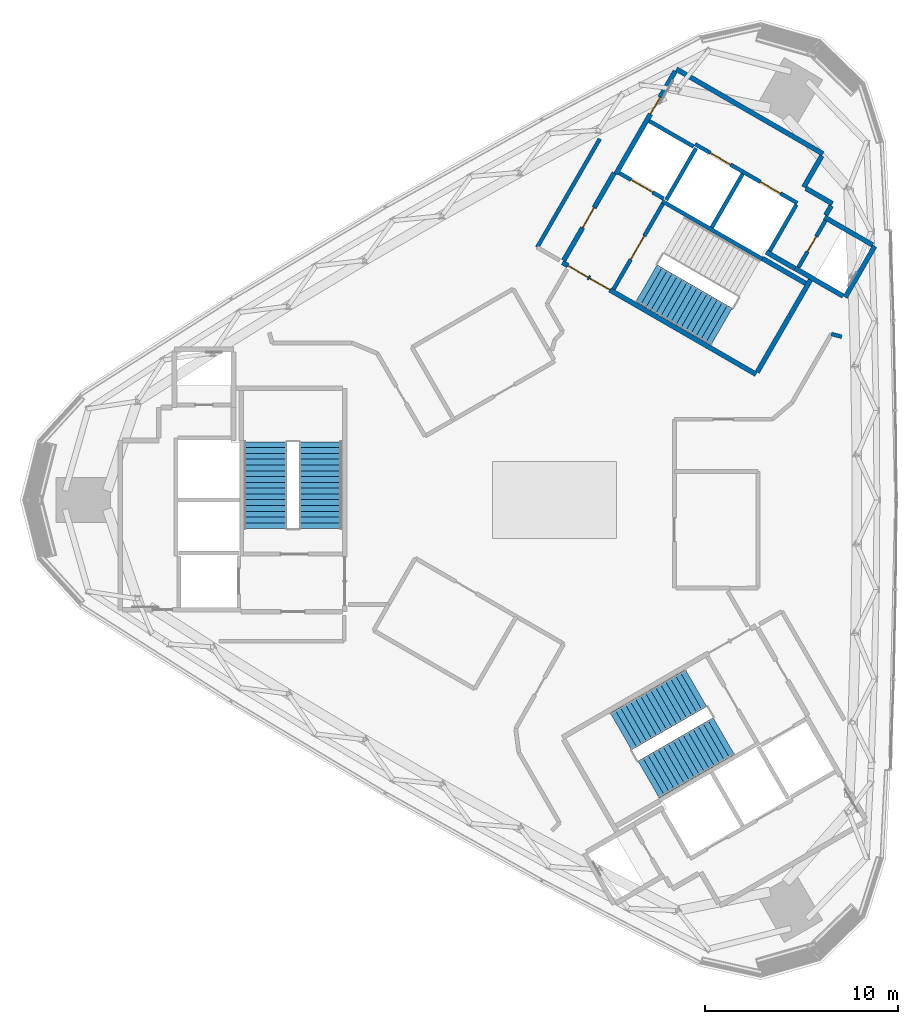
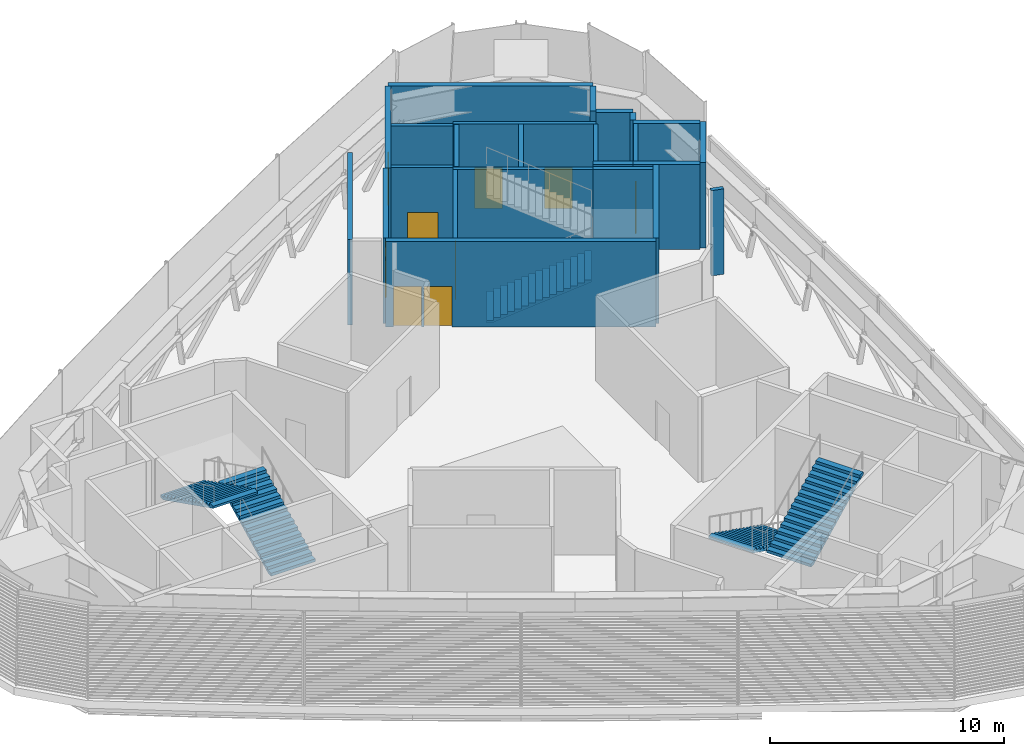
# One storey, part 14 of 18: 24 walls, 9 doors, 5 stair flights, 9 openings, 3 elements without a shape of their own.
"""IFC4 building model written with IfcOpenShell, lengths in metres."""

from ifc_helpers import new_model, si_unit, direction, frame, frame_2d, origin, place, context, subcontext, project, spatial, polyline, rectangle, outline, extrude, material, layer, layer_set, type_object, element, fill, aggregate, save


model = new_model("IFC4")

# Units and contexts
model_context = context("Model", 3, precision=1e-05, world=origin(), true_north=direction((0.0, 1.0)))
body_context = subcontext(model_context, "Body", "Model", "MODEL_VIEW")
ifc_project = project(units=[si_unit("LENGTHUNIT", "METRE"), si_unit("AREAUNIT", "SQUARE_METRE"), si_unit("VOLUMEUNIT", "CUBIC_METRE"), si_unit("PLANEANGLEUNIT", "RADIAN"), si_unit("MASSUNIT", "GRAM", prefix="KILO")], contexts=[model_context])

# Site, building, storey
site_placement = place(None, origin())
site = spatial("IfcSite", under=ifc_project, at=site_placement, CompositionType="ELEMENT")
building_placement = place(site_placement, origin())
building = spatial("IfcBuilding", under=site, at=building_placement, Name="Tamra Quay Hotel Tower", CompositionType="ELEMENT")
storey_placement = place(building_placement, frame((0.0, 0.0, 257.39990234375)))
storey = spatial("IfcBuildingStorey", under=building, at=storey_placement, Name="L65", CompositionType="ELEMENT", Elevation=257.39990234375)

# Wall, openings, doors
ifc_material_1 = material(Name="Concrete M70", Category="concrete")
ifc_layer_1 = layer(ifc_material_1, 0.199951171875)
ifc_layer_set_1 = layer_set([ifc_layer_1], Name="Concrete M70 core wall 200")
wall_type_1 = type_object("IfcWallType", Name="Concrete M70 core wall 200", PredefinedType="SHEAR", material=ifc_layer_set_1)
wall_1_placement = place(storey_placement, frame((12.552490234375, 15.341552734375, 0.0), z_axis=(0.0, 0.0, 1.0), x_axis=(-0.866030299012, 0.499991521122, 0.0)))
wall_1 = element("IfcWall", 1, at=wall_1_placement, inside=storey, type_object=wall_type_1, Name="CW2", PredefinedType="SHEAR", context=body_context, shape_type="SweptSolid", body=[
    extrude(rectangle(XDim=6.10009765625, YDim=0.199951171875, at=frame_2d((3.050048828125, 0.0))), origin(), (0.0, 0.0, 1.0), 4.4501953125),
])
opening_1_placement = place(wall_1_placement, frame((1.0, 0.0, 0.0)))
opening_1 = element("IfcOpeningElement", 2, at=opening_1_placement, cuts=wall_1, Name="Opening LD", PredefinedType="OPENING", context=body_context, shape_type="SweptSolid", body=[
    extrude(rectangle(XDim=1.199951171875, YDim=2.10009765625, at=frame_2d((0.60009765625, 1.050048828125))), frame((0.0, 0.10986328125, 0.0), z_axis=(0.0, -1.0, 0.0), x_axis=(1.0, 0.0, 0.0)), (0.0, 0.0, 1.0), 0.219970703125),
])
opening_2_placement = place(wall_1_placement, frame((3.982177734375, 0.0, 0.0)))
opening_2 = element("IfcOpeningElement", 3, at=opening_2_placement, cuts=wall_1, Name="Opening LD", PredefinedType="OPENING", context=body_context, shape_type="SweptSolid", body=[
    extrude(rectangle(XDim=1.199951171875, YDim=2.10009765625, at=frame_2d((0.60009765625, 1.050048828125))), frame((0.0, 0.10986328125, 0.0), z_axis=(0.0, -1.0, 0.0), x_axis=(1.0, 0.0, 0.0)), (0.0, 0.0, 1.0), 0.219970703125),
])
ifc_material_2 = material(Name="Landing door LD 1200 double door sliding")
door_type_1 = type_object("IfcDoorType", Name="Landing door LD 1200 double door sliding", OperationType="DOUBLE_DOOR_SLIDING", PredefinedType="DOOR", material=ifc_material_2)
door_1_placement = place(opening_1_placement, origin())
door_1 = element("IfcDoor", 4, at=door_1_placement, inside=storey, type_object=door_type_1, Name="LD", OperationType="DOUBLE_DOOR_SLIDING", OverallHeight=2.10009765625, OverallWidth=1.199951171875, PredefinedType="DOOR", context=body_context, shape_type="SweptSolid", body=[
    extrude(rectangle(XDim=1.199951171875, YDim=2.10009765625, at=frame_2d((0.60009765625, 1.050048828125))), frame((0.0, 0.02490234375, 0.0), z_axis=(0.0, -1.0, 0.0), x_axis=(1.0, 0.0, 0.0)), (0.0, 0.0, 1.0), 0.050048828125),
])
fill(opening_1, door_1)
door_2_placement = place(opening_2_placement, origin())
door_2 = element("IfcDoor", 5, at=door_2_placement, inside=storey, type_object=door_type_1, Name="LD", OperationType="DOUBLE_DOOR_SLIDING", OverallHeight=2.10009765625, OverallWidth=1.199951171875, PredefinedType="DOOR", context=body_context, shape_type="SweptSolid", body=[
    extrude(rectangle(XDim=1.199951171875, YDim=2.10009765625, at=frame_2d((0.60009765625, 1.050048828125))), frame((0.0, 0.02490234375, 0.0), z_axis=(0.0, -1.0, 0.0), x_axis=(1.0, 0.0, 0.0)), (0.0, 0.0, 1.0), 0.050048828125),
])
fill(opening_2, door_2)

# Wall
wall_2_placement = place(storey_placement, frame((10.7431640625, 12.4599609375, 0.0), z_axis=(0.0, 0.0, 1.0), x_axis=(-0.866018848283, 0.500011354289, 0.0)))
element("IfcWall", 6, at=wall_2_placement, inside=storey, type_object=wall_type_1, Name="CW2", PredefinedType="SHEAR", context=body_context, shape_type="SweptSolid", body=[
    extrude(rectangle(XDim=5.973876953125, YDim=0.199951171875, at=frame_2d((2.98681640625, 0.0))), origin(), (0.0, 0.0, 1.0), 4.4501953125),
])

# Wall, opening, door
wall_3_placement = place(storey_placement, frame((3.056640625, 10.89453125, 0.0), z_axis=(0.0, 0.0, 1.0), x_axis=(0.500027839223, 0.866009330205, 0.0)))
wall_3 = element("IfcWall", 7, at=wall_3_placement, inside=storey, type_object=wall_type_1, Name="CW2", PredefinedType="SHEAR", context=body_context, shape_type="SweptSolid", body=[
    extrude(rectangle(XDim=5.097900390625, YDim=0.199951171875, at=frame_2d((2.548828125, 0.0))), origin(), (0.0, 0.0, 1.0), 4.4501953125),
])
opening_3_placement = place(wall_3_placement, frame((1.77392578125, 0.0, 0.0)))
opening_3 = element("IfcOpeningElement", 8, at=opening_3_placement, cuts=wall_3, Name="Opening FD2", PredefinedType="OPENING", context=body_context, shape_type="SweptSolid", body=[
    extrude(rectangle(XDim=1.39990234375, YDim=2.10009765625, at=frame_2d((0.699951171875, 1.050048828125))), frame((0.0, 0.10986328125, 0.0), z_axis=(0.0, -1.0, 0.0), x_axis=(1.0, 0.0, 0.0)), (0.0, 0.0, 1.0), 0.219970703125),
])
ifc_material_3 = material(Name="Core door FD2 1400x2100 RH")
door_type_2 = type_object("IfcDoorType", Name="Core door FD2 1400x2100 RH", OperationType="NOTDEFINED", PredefinedType="DOOR", material=ifc_material_3)
door_3_placement = place(opening_3_placement, origin())
door_3 = element("IfcDoor", 9, at=door_3_placement, inside=storey, type_object=door_type_2, Name="FD2", OperationType="SINGLE_SWING_RIGHT", OverallHeight=2.10009765625, OverallWidth=1.39990234375, PredefinedType="DOOR", context=body_context, shape_type="SweptSolid", body=[
    extrude(rectangle(XDim=1.39990234375, YDim=2.10009765625, at=frame_2d((0.699951171875, 1.050048828125))), frame((0.0, 0.02490234375, 0.0), z_axis=(0.0, -1.0, 0.0), x_axis=(1.0, 0.0, 0.0)), (0.0, 0.0, 1.0), 0.050048828125),
])
fill(opening_3, door_3)

# Wall
wall_4_placement = place(storey_placement, frame((8.131591796875, 14.08447265625, 0.0), z_axis=(0.0, 0.0, 1.0), x_axis=(0.500030834389, 0.86600760081, 0.0)))
element("IfcWall", 10, at=wall_4_placement, inside=storey, type_object=wall_type_1, Name="CW2", PredefinedType="SHEAR", context=body_context, shape_type="SweptSolid", body=[
    extrude(rectangle(XDim=3.197998046875, YDim=0.199951171875, at=frame_2d((1.59912109375, 0.0))), origin(), (0.0, 0.0, 1.0), 4.4501953125),
])

# Wall, opening, door
wall_5_placement = place(storey_placement, frame((14.0078125, 14.442138671875, 0.0), z_axis=(0.0, 0.0, 1.0), x_axis=(-0.499986818241, -0.866033014143, 0.0)))
wall_5 = element("IfcWall", 11, at=wall_5_placement, inside=storey, type_object=wall_type_1, Name="CW2", PredefinedType="SHEAR", context=body_context, shape_type="SweptSolid", body=[
    extrude(rectangle(XDim=2.7978515625, YDim=0.199951171875, at=frame_2d((1.39892578125, 0.0))), origin(), (0.0, 0.0, 1.0), 4.4501953125),
])
opening_4_placement = place(wall_5_placement, frame((0.948974609375, 0.0, 0.0)))
opening_4 = element("IfcOpeningElement", 12, at=opening_4_placement, cuts=wall_5, Name="Opening D1", PredefinedType="OPENING", context=body_context, shape_type="SweptSolid", body=[
    extrude(rectangle(XDim=0.89990234375, YDim=2.10009765625, at=frame_2d((0.449951171875, 1.050048828125))), frame((0.0, 0.10986328125, 0.0), z_axis=(0.0, -1.0, 0.0), x_axis=(1.0, 0.0, 0.0)), (0.0, 0.0, 1.0), 0.219970703125),
])
ifc_material_4 = material(Name="Core door D1 900x2100 LH")
door_type_3 = type_object("IfcDoorType", Name="Core door D1 900x2100 LH", OperationType="NOTDEFINED", PredefinedType="DOOR", material=ifc_material_4)
door_4_placement = place(opening_4_placement, origin())
door_4 = element("IfcDoor", 13, at=door_4_placement, inside=storey, type_object=door_type_3, Name="D1", OperationType="SINGLE_SWING_LEFT", OverallHeight=2.10009765625, OverallWidth=0.89990234375, PredefinedType="DOOR", context=body_context, shape_type="SweptSolid", body=[
    extrude(rectangle(XDim=0.89990234375, YDim=2.10009765625, at=frame_2d((0.449951171875, 1.050048828125))), frame((0.0, 0.02490234375, 0.0), z_axis=(0.0, -1.0, 0.0), x_axis=(1.0, 0.0, 0.0)), (0.0, 0.0, 1.0), 0.050048828125),
])
fill(opening_4, door_4)

# Walls
wall_6_placement = place(storey_placement, frame((12.50244140625, 15.2548828125, 0.0), z_axis=(0.0, 0.0, 1.0), x_axis=(-0.499965018551, -0.866045599391, 0.0)))
element("IfcWall", 14, at=wall_6_placement, inside=storey, type_object=wall_type_1, Name="CW2", PredefinedType="SHEAR", context=body_context, shape_type="SweptSolid", body=[
    extrude(rectangle(XDim=2.759033203125, YDim=0.199951171875, at=frame_2d((1.37939453125, 0.0))), origin(), (0.0, 0.0, 1.0), 4.4501953125),
])
wall_7_placement = place(storey_placement, frame((7.324462890625, 18.1865234375, 0.0), z_axis=(0.0, 0.0, 1.0), x_axis=(-0.499967891604, -0.866043940782, 0.0)))
element("IfcWall", 15, at=wall_7_placement, inside=storey, type_object=wall_type_1, Name="CW2", PredefinedType="SHEAR", context=body_context, shape_type="SweptSolid", body=[
    extrude(rectangle(XDim=3.099853515625, YDim=0.199951171875, at=frame_2d((1.5498046875, 0.0))), origin(), (0.0, 0.0, 1.0), 4.4501953125),
])

# Wall, opening, door
wall_8_placement = place(storey_placement, frame((5.646240234375, 15.575927734375, 0.0), z_axis=(0.0, 0.0, 1.0), x_axis=(-0.866018407898, 0.500012117035, 0.0)))
wall_8 = element("IfcWall", 16, at=wall_8_placement, inside=storey, type_object=wall_type_1, Name="CW2", PredefinedType="SHEAR", context=body_context, shape_type="SweptSolid", body=[
    extrude(rectangle(XDim=2.65087890625, YDim=0.199951171875, at=frame_2d((1.325439453125, 0.0))), origin(), (0.0, 0.0, 1.0), 4.4501953125),
])
opening_5_placement = place(wall_8_placement, frame((0.65185546875, 0.0, 0.0)))
opening_5 = element("IfcOpeningElement", 17, at=opening_5_placement, cuts=wall_8, Name="Opening LD", PredefinedType="OPENING", context=body_context, shape_type="SweptSolid", body=[
    extrude(rectangle(XDim=1.300048828125, YDim=2.10009765625, at=frame_2d((0.64990234375, 1.050048828125))), frame((0.0, 0.10986328125, 0.0), z_axis=(0.0, -1.0, 0.0), x_axis=(1.0, 0.0, 0.0)), (0.0, 0.0, 1.0), 0.219970703125),
])
ifc_material_5 = material(Name="Landing door LD 1300 sliding to right")
door_type_4 = type_object("IfcDoorType", Name="Landing door LD 1300 sliding to right", OperationType="NOTDEFINED", PredefinedType="DOOR", material=ifc_material_5)
door_5_placement = place(opening_5_placement, origin())
door_5 = element("IfcDoor", 18, at=door_5_placement, inside=storey, type_object=door_type_4, Name="LD", OperationType="SLIDING_TO_RIGHT", OverallHeight=2.10009765625, OverallWidth=1.300048828125, PredefinedType="DOOR", context=body_context, shape_type="SweptSolid", body=[
    extrude(rectangle(XDim=1.300048828125, YDim=2.10009765625, at=frame_2d((0.64990234375, 1.050048828125))), frame((0.0, 0.02490234375, 0.0), z_axis=(0.0, -1.0, 0.0), x_axis=(1.0, 0.0, 0.0)), (0.0, 0.0, 1.0), 0.050048828125),
])
fill(opening_5, door_5)

# Wall
wall_9_placement = place(storey_placement, frame((7.1962890625, 18.260498046875, 0.0), z_axis=(0.0, 0.0, 1.0), x_axis=(-0.866018407898, 0.500012117035, 0.0)))
element("IfcWall", 19, at=wall_9_placement, inside=storey, type_object=wall_type_1, Name="CW2", PredefinedType="SHEAR", context=body_context, shape_type="SweptSolid", body=[
    extrude(rectangle(XDim=2.65087890625, YDim=0.199951171875, at=frame_2d((1.325439453125, 0.0))), origin(), (0.0, 0.0, 1.0), 4.4501953125),
])

# Wall, openings, doors
ifc_layer_2 = layer(ifc_material_1, 0.25)
ifc_layer_set_2 = layer_set([ifc_layer_2], Name="Concrete M70 core wall 250")
wall_type_2 = type_object("IfcWallType", Name="Concrete M70 core wall 250", PredefinedType="SHEAR", material=ifc_layer_set_2)
wall_10_placement = place(storey_placement, frame((10.419921875, 6.497802734375, 0.0), z_axis=(0.0, 0.0, 1.0), x_axis=(-0.866021906294, 0.500006057782, 0.0)))
wall_10 = element("IfcWall", 20, at=wall_10_placement, inside=storey, type_object=wall_type_2, Name="CW1", PredefinedType="SHEAR", context=body_context, shape_type="SweptSolid", body=[
    extrude(rectangle(XDim=11.550048828125, YDim=0.25, at=frame_2d((5.77490234375, 0.0))), origin(), (0.0, 0.0, 1.0), 4.4501953125),
])
opening_6_placement = place(wall_10_placement, frame((10.02490234375, 0.0, 0.0)))
opening_6 = element("IfcOpeningElement", 21, at=opening_6_placement, cuts=wall_10, Name="Opening FD1", PredefinedType="OPENING", context=body_context, shape_type="SweptSolid", body=[
    extrude(rectangle(XDim=1.199951171875, YDim=2.10009765625, at=frame_2d((0.60009765625, 1.050048828125))), frame((0.0, 0.135009765625, 0.0), z_axis=(0.0, -1.0, 0.0), x_axis=(1.0, 0.0, 0.0)), (0.0, 0.0, 1.0), 0.27001953125),
])
opening_7_placement = place(wall_10_placement, frame((8.724853515625, 0.0, 0.0)))
opening_7 = element("IfcOpeningElement", 22, at=opening_7_placement, cuts=wall_10, Name="Opening FD1", PredefinedType="OPENING", context=body_context, shape_type="SweptSolid", body=[
    extrude(rectangle(XDim=1.199951171875, YDim=2.10009765625, at=frame_2d((0.60009765625, 1.050048828125))), frame((0.0, 0.135009765625, 0.0), z_axis=(0.0, -1.0, 0.0), x_axis=(1.0, 0.0, 0.0)), (0.0, 0.0, 1.0), 0.27001953125),
])
ifc_material_6 = material(Name="Core door FD1 1200x2100 LH")
door_type_5 = type_object("IfcDoorType", Name="Core door FD1 1200x2100 LH", OperationType="NOTDEFINED", PredefinedType="DOOR", material=ifc_material_6)
door_6_placement = place(opening_6_placement, origin())
door_6 = element("IfcDoor", 23, at=door_6_placement, inside=storey, type_object=door_type_5, Name="FD1", OperationType="SINGLE_SWING_LEFT", OverallHeight=2.10009765625, OverallWidth=1.199951171875, PredefinedType="DOOR", context=body_context, shape_type="SweptSolid", body=[
    extrude(rectangle(XDim=1.199951171875, YDim=2.10009765625, at=frame_2d((0.60009765625, 1.050048828125))), frame((0.0, 0.02490234375, 0.0), z_axis=(0.0, -1.0, 0.0), x_axis=(1.0, 0.0, 0.0)), (0.0, 0.0, 1.0), 0.050048828125),
])
fill(opening_6, door_6)
ifc_material_7 = material(Name="Core door FD1 1200x2100 RH")
door_type_6 = type_object("IfcDoorType", Name="Core door FD1 1200x2100 RH", OperationType="NOTDEFINED", PredefinedType="DOOR", material=ifc_material_7)
door_7_placement = place(opening_7_placement, origin())
door_7 = element("IfcDoor", 24, at=door_7_placement, inside=storey, type_object=door_type_6, Name="FD1", OperationType="SINGLE_SWING_RIGHT", OverallHeight=2.10009765625, OverallWidth=1.199951171875, PredefinedType="DOOR", context=body_context, shape_type="SweptSolid", body=[
    extrude(rectangle(XDim=1.199951171875, YDim=2.10009765625, at=frame_2d((0.60009765625, 1.050048828125))), frame((0.0, 0.02490234375, 0.0), z_axis=(0.0, -1.0, 0.0), x_axis=(1.0, 0.0, 0.0)), (0.0, 0.0, 1.0), 0.050048828125),
])
fill(opening_7, door_7)

# Wall
wall_11_placement = place(storey_placement, frame((6.303955078125, 22.268798828125, 0.0), z_axis=(0.0, 0.0, 1.0), x_axis=(0.866022959057, -0.500004234368, 0.0)))
element("IfcWall", 25, at=wall_11_placement, inside=storey, type_object=wall_type_2, Name="CW1", PredefinedType="SHEAR", context=body_context, shape_type="SweptSolid", body=[
    extrude(rectangle(XDim=8.75, YDim=0.25, at=frame_2d((4.375, 0.0))), origin(), (0.0, 0.0, 1.0), 4.4501953125),
])

# Wall, opening, door
wall_12_placement = place(storey_placement, frame((3.178955078125, 16.856201171875, 0.0), z_axis=(0.0, 0.0, 1.0), x_axis=(0.500001955336, 0.866024274868, 0.0)))
wall_12 = element("IfcWall", 26, at=wall_12_placement, inside=storey, type_object=wall_type_2, Name="CW1", PredefinedType="SHEAR", context=body_context, shape_type="SweptSolid", body=[
    extrude(rectangle(XDim=6.12451171875, YDim=0.25, at=frame_2d((3.062255859375, 0.0))), origin(), (0.0, 0.0, 1.0), 4.4501953125),
])
opening_8_placement = place(wall_12_placement, frame((3.562744140625, 0.0, 0.0)))
opening_8 = element("IfcOpeningElement", 27, at=opening_8_placement, cuts=wall_12, Name="Opening FD3", PredefinedType="OPENING", context=body_context, shape_type="SweptSolid", body=[
    extrude(rectangle(XDim=1.0, YDim=2.10009765625, at=frame_2d((0.5, 1.050048828125))), frame((0.0, 0.135009765625, 0.0), z_axis=(0.0, -1.0, 0.0), x_axis=(1.0, 0.0, 0.0)), (0.0, 0.0, 1.0), 0.27001953125),
])
ifc_material_8 = material(Name="Core door FD3 1000x2100 LH")
door_type_7 = type_object("IfcDoorType", Name="Core door FD3 1000x2100 LH", OperationType="NOTDEFINED", PredefinedType="DOOR", material=ifc_material_8)
door_8_placement = place(opening_8_placement, origin())
door_8 = element("IfcDoor", 28, at=door_8_placement, inside=storey, type_object=door_type_7, Name="FD3", OperationType="SINGLE_SWING_LEFT", OverallHeight=2.10009765625, OverallWidth=1.0, PredefinedType="DOOR", context=body_context, shape_type="SweptSolid", body=[
    extrude(rectangle(XDim=1.0, YDim=2.10009765625, at=frame_2d((0.5, 1.050048828125))), frame((0.0, 0.02490234375, 0.0), z_axis=(0.0, -1.0, 0.0), x_axis=(1.0, 0.0, 0.0)), (0.0, 0.0, 1.0), 0.050048828125),
])
fill(opening_8, door_8)

wall_13_placement = place(storey_placement, frame((0.47998046875, 12.38134765625, 0.0), z_axis=(0.0, 0.0, 1.0), x_axis=(0.49999885962, 0.866026062182, 0.0)))
wall_13 = element("IfcWall", 29, at=wall_13_placement, inside=storey, type_object=wall_type_2, Name="CW1", PredefinedType="SHEAR", context=body_context, shape_type="SweptSolid", body=[
    extrude(rectangle(XDim=5.224609375, YDim=0.25, at=frame_2d((2.6123046875, 0.0))), origin(), (0.0, 0.0, 1.0), 4.4501953125),
])
opening_9_placement = place(wall_13_placement, frame((1.94970703125, 0.0, 0.0)))
opening_9 = element("IfcOpeningElement", 30, at=opening_9_placement, cuts=wall_13, Name="Opening D2", PredefinedType="OPENING", context=body_context, shape_type="SweptSolid", body=[
    extrude(rectangle(XDim=1.199951171875, YDim=2.10009765625, at=frame_2d((0.60009765625, 1.050048828125))), frame((0.0, 0.135009765625, 0.0), z_axis=(0.0, -1.0, 0.0), x_axis=(1.0, 0.0, 0.0)), (0.0, 0.0, 1.0), 0.27001953125),
])
ifc_material_9 = material(Name="Core door D2 1200x2100 LH")
door_type_8 = type_object("IfcDoorType", Name="Core door D2 1200x2100 LH", OperationType="NOTDEFINED", PredefinedType="DOOR", material=ifc_material_9)
door_9_placement = place(opening_9_placement, origin())
door_9 = element("IfcDoor", 31, at=door_9_placement, inside=storey, type_object=door_type_8, Name="D2", OperationType="SINGLE_SWING_LEFT", OverallHeight=2.10009765625, OverallWidth=1.199951171875, PredefinedType="DOOR", context=body_context, shape_type="SweptSolid", body=[
    extrude(rectangle(XDim=1.199951171875, YDim=2.10009765625, at=frame_2d((0.60009765625, 1.050048828125))), frame((0.0, 0.02490234375, 0.0), z_axis=(0.0, -1.0, 0.0), x_axis=(1.0, 0.0, 0.0)), (0.0, 0.0, 1.0), 0.050048828125),
])
fill(opening_9, door_9)

# Walls
wall_14_placement = place(storey_placement, frame((13.237548828125, 11.3779296875, 0.0), z_axis=(0.0, 0.0, 1.0), x_axis=(-0.500008851346, -0.866020293397, 0.0)))
element("IfcWall", 32, at=wall_14_placement, inside=storey, type_object=wall_type_2, Name="CW1", PredefinedType="SHEAR", context=body_context, shape_type="SweptSolid", body=[
    extrude(rectangle(XDim=5.509765625, YDim=0.25, at=frame_2d((2.7548828125, 0.0))), origin(), (0.0, 0.0, 1.0), 4.4501953125),
])
wall_15_placement = place(storey_placement, frame((16.552001953125, 13.118896484375, 0.0), z_axis=(0.0, 0.0, 1.0), x_axis=(-0.499978833458, -0.866037623948, 0.0)))
element("IfcWall", 33, at=wall_15_placement, inside=storey, type_object=wall_type_2, Name="CW1", PredefinedType="SHEAR", context=body_context, shape_type="SweptSolid", body=[
    extrude(rectangle(XDim=3.050048828125, YDim=0.25, at=frame_2d((1.52490234375, 0.0))), origin(), (0.0, 0.0, 1.0), 4.4501953125),
])
wall_16_placement = place(storey_placement, frame((14.91845703125, 10.540283203125, 0.0), z_axis=(0.0, 0.0, 1.0), x_axis=(-0.866063538972, 0.499933942099, 0.0)))
element("IfcWall", 34, at=wall_16_placement, inside=storey, type_object=wall_type_2, Name="CW1", PredefinedType="SHEAR", context=body_context, shape_type="SweptSolid", body=[
    extrude(rectangle(XDim=2.86474609375, YDim=0.25, at=frame_2d((1.432373046875, 0.0))), origin(), (0.0, 0.0, 1.0), 4.4501953125),
])
wall_17_placement = place(storey_placement, frame((13.962646484375, 14.61376953125, 0.0), z_axis=(0.0, 0.0, 1.0), x_axis=(0.866042235819, -0.499970844928, 0.0)))
element("IfcWall", 35, at=wall_17_placement, inside=storey, type_object=wall_type_2, Name="CW1", PredefinedType="SHEAR", context=body_context, shape_type="SweptSolid", body=[
    extrude(rectangle(XDim=2.864501953125, YDim=0.25, at=frame_2d((1.43212890625, 0.0))), origin(), (0.0, 0.0, 1.0), 4.4501953125),
])
wall_18_placement = place(storey_placement, frame((10.756591796875, 12.481201171875, 0.0), z_axis=(0.0, 0.0, 1.0), x_axis=(0.866022940537, -0.500004266446, 0.0)))
element("IfcWall", 36, at=wall_18_placement, inside=storey, type_object=wall_type_2, Name="CW1", PredefinedType="SHEAR", context=body_context, shape_type="SweptSolid", body=[
    extrude(rectangle(XDim=2.57470703125, YDim=0.25, at=frame_2d((1.287353515625, 0.0))), origin(), (0.0, 0.0, 1.0), 4.4501953125),
])
wall_19_placement = place(storey_placement, frame((13.819091796875, 17.78515625, 0.0), z_axis=(0.0, 0.0, 1.0), x_axis=(-0.500039802285, -0.866002422705, 0.0)))
element("IfcWall", 37, at=wall_19_placement, inside=storey, type_object=wall_type_2, Name="CW1", PredefinedType="SHEAR", context=body_context, shape_type="SweptSolid", body=[
    extrude(rectangle(XDim=1.864501953125, YDim=0.25, at=frame_2d((0.93212890625, 0.0))), origin(), (0.0, 0.0, 1.0), 4.4501953125),
])
wall_20_placement = place(storey_placement, frame((12.4326171875, 11.9638671875, 0.0), z_axis=(0.0, 0.0, 1.0), x_axis=(-0.866038183914, 0.499977863513, 0.0)))
element("IfcWall", 38, at=wall_20_placement, inside=storey, type_object=wall_type_2, Name="CW1", PredefinedType="SHEAR", context=body_context, shape_type="SweptSolid", body=[
    extrude(rectangle(XDim=1.7099609375, YDim=0.25, at=frame_2d((0.85498046875, 0.0))), origin(), (0.0, 0.0, 1.0), 4.4501953125),
])
wall_21_placement = place(storey_placement, frame((12.995361328125, 16.107666015625, 0.0), z_axis=(0.0, 0.0, 1.0), x_axis=(0.866044474677, -0.49996696679, 0.0)))
element("IfcWall", 39, at=wall_21_placement, inside=storey, type_object=wall_type_2, Name="CW1", PredefinedType="SHEAR", context=body_context, shape_type="SweptSolid", body=[
    extrude(rectangle(XDim=1.58447265625, YDim=0.25, at=frame_2d((0.792236328125, 0.0))), origin(), (0.0, 0.0, 1.0), 4.4501953125),
])
wall_22_placement = place(storey_placement, frame((14.304931640625, 15.206787109375, 0.0), z_axis=(0.0, 0.0, 1.0), x_axis=(-0.499848422343, -0.866112899501, 0.0)))
element("IfcWall", 40, at=wall_22_placement, inside=storey, type_object=wall_type_2, Name="CW1", PredefinedType="SHEAR", context=body_context, shape_type="SweptSolid", body=[
    extrude(rectangle(XDim=0.559326171875, YDim=0.25, at=frame_2d((0.27978515625, 0.0))), origin(), (0.0, 0.0, 1.0), 4.4501953125),
])
ifc_material_10 = material(Name="Partition corridor wall")
ifc_layer_3 = layer(ifc_material_10, 0.199951171875)
ifc_layer_set_3 = layer_set([ifc_layer_3], Name="Partition corridor wall")
wall_type_3 = type_object("IfcWallType", Name="Partition corridor wall", PredefinedType="PARTITIONING", material=ifc_layer_set_3)
wall_23_placement = place(storey_placement, frame((-0.89111328125, 13.056884765625, 0.0), z_axis=(0.0, 0.0, 1.0), x_axis=(0.499975989083, 0.86603926605, 0.0)))
element("IfcWall", 41, at=wall_23_placement, inside=storey, type_object=wall_type_3, Name="W-C", PredefinedType="PARTITIONING", context=body_context, shape_type="SweptSolid", body=[
    extrude(rectangle(XDim=6.473876953125, YDim=0.199951171875, at=frame_2d((3.23681640625, 0.0))), origin(), (0.0, 0.0, 1.0), 4.4501953125),
])
wall_24_placement = place(storey_placement, frame((14.31396484375, 8.5791015625, 0.0), z_axis=(0.0, 0.0, 1.0), x_axis=(0.966220438204, -0.257717024656, 0.0)))
element("IfcWall", 42, at=wall_24_placement, inside=storey, type_object=wall_type_3, Name="W-C", PredefinedType="PARTITIONING", context=body_context, shape_type="SweptSolid", body=[
    extrude(rectangle(XDim=0.558837890625, YDim=0.199951171875, at=frame_2d((0.279296875, 0.0))), origin(), (0.0, 0.0, 1.0), 4.4501953125),
])

# Stair, stair flights
ifc_material_11 = material(Name="Exit stair 2200 32 risers 150.0 going 299")
stair_type = type_object("IfcStairType", Name="Exit stair 2200 32 risers 150.0 going 299", PredefinedType="HALF_TURN_STAIR", material=ifc_material_11)
stair_1_placement = place(storey_placement, origin())
stair_1 = element("IfcStair", 43, at=stair_1_placement, inside=storey, type_object=stair_type, Name="L65 Exit stair ST3", PredefinedType="HALF_TURN_STAIR")
ifc_material_12 = material(Name="Exit stair flight 2200 16 risers 150.0")
stair_flight_type = type_object("IfcStairFlightType", Name="Exit stair flight 2200 16 risers 150.0", PredefinedType="STRAIGHT", material=ifc_material_12)
stair_flight_1_placement = place(storey_placement, frame((-12.082275390625, -1.47998046875, 0.0), z_axis=(0.0, 0.0, 1.0), x_axis=(0.0, 1.0, 0.0)))
stair_flight_1 = element("IfcStairFlight", 44, at=stair_flight_1_placement, type_object=stair_flight_type, Name="ST3 flight 1", NumberOfRisers=16, NumberOfTreads=15, PredefinedType="STRAIGHT", RiserHeight=0.15, TreadLength=0.299, context=body_context, shape_type="SweptSolid", body=[
    extrude(outline(polyline([(0.0, 0.0), (0.0, 0.14990234375), (0.299072265625, 0.14990234375), (0.299072265625, 0.300048828125), (0.597900390625, 0.300048828125), (0.597900390625, 0.449951171875), (0.89697265625, 0.449951171875), (0.89697265625, 0.60009765625), (1.196044921875, 0.60009765625), (1.196044921875, 0.75), (1.4951171875, 0.75), (1.4951171875, 0.89990234375), (1.7939453125, 0.89990234375), (1.7939453125, 1.050048828125), (2.093017578125, 1.050048828125), (2.093017578125, 1.199951171875), (2.39208984375, 1.199951171875), (2.39208984375, 1.35009765625), (2.69091796875, 1.35009765625), (2.69091796875, 1.5), (2.989990234375, 1.5), (2.989990234375, 1.64990234375), (3.2890625, 1.64990234375), (3.2890625, 1.800048828125), (3.587890625, 1.800048828125), (3.587890625, 1.949951171875), (3.886962890625, 1.949951171875), (3.886962890625, 2.10009765625), (4.18603515625, 2.10009765625), (4.18603515625, 2.25), (4.485107421875, 2.25), (4.485107421875, 2.39990234375), (4.485107421875, 2.137939453125), (0.22314453125, 0.0), (0.0, 0.0)])), frame((0.0, 1.10009765625, 0.0), z_axis=(0.0, -1.0, 0.0), x_axis=(1.0, 0.0, 0.0)), (0.0, 0.0, 1.0), 2.199951171875),
])
stair_flight_2_placement = place(storey_placement, frame((-14.94140625, 3.0048828125, 2.400146484375), z_axis=(0.0, 0.0, 1.0), x_axis=(0.0, -1.0, 0.0)))
stair_flight_2 = element("IfcStairFlight", 45, at=stair_flight_2_placement, type_object=stair_flight_type, Name="ST3 flight 2", NumberOfRisers=16, NumberOfTreads=15, PredefinedType="STRAIGHT", RiserHeight=0.15, TreadLength=0.299, context=body_context, shape_type="SweptSolid", body=[
    extrude(outline(polyline([(0.0, 0.0), (0.0, 0.14990234375), (0.299072265625, 0.14990234375), (0.299072265625, 0.300048828125), (0.597900390625, 0.300048828125), (0.597900390625, 0.449951171875), (0.89697265625, 0.449951171875), (0.89697265625, 0.60009765625), (1.196044921875, 0.60009765625), (1.196044921875, 0.75), (1.4951171875, 0.75), (1.4951171875, 0.89990234375), (1.7939453125, 0.89990234375), (1.7939453125, 1.050048828125), (2.093017578125, 1.050048828125), (2.093017578125, 1.199951171875), (2.39208984375, 1.199951171875), (2.39208984375, 1.35009765625), (2.69091796875, 1.35009765625), (2.69091796875, 1.5), (2.989990234375, 1.5), (2.989990234375, 1.64990234375), (3.2890625, 1.64990234375), (3.2890625, 1.800048828125), (3.587890625, 1.800048828125), (3.587890625, 1.949951171875), (3.886962890625, 1.949951171875), (3.886962890625, 2.10009765625), (4.18603515625, 2.10009765625), (4.18603515625, 2.25), (4.485107421875, 2.25), (4.485107421875, 2.39990234375), (4.485107421875, 2.137939453125), (0.22314453125, 0.0), (0.0, 0.0)])), frame((0.0, 1.10009765625, 0.0), z_axis=(0.0, -1.0, 0.0), x_axis=(1.0, 0.0, 0.0)), (0.0, 0.0, 1.0), 2.199951171875),
])
aggregate(stair_1, [stair_flight_1, stair_flight_2])

# Stair, stair flight
stair_2_placement = place(storey_placement, origin())
stair_2 = element("IfcStair", 46, at=stair_2_placement, inside=storey, type_object=stair_type, Name="L65 Exit stair ST1", PredefinedType="HALF_TURN_STAIR")
stair_flight_3_placement = place(storey_placement, frame((4.75927734375, 11.20361328125, 0.0), z_axis=(0.0, 0.0, 1.0), x_axis=(0.866025403784, -0.5, 0.0)))
stair_flight_3 = element("IfcStairFlight", 47, at=stair_flight_3_placement, type_object=stair_flight_type, Name="ST1 flight 1", NumberOfRisers=16, NumberOfTreads=15, PredefinedType="STRAIGHT", RiserHeight=0.15, TreadLength=0.299, context=body_context, shape_type="SweptSolid", body=[
    extrude(outline(polyline([(0.0, 0.0), (0.0, 0.14990234375), (0.299072265625, 0.14990234375), (0.299072265625, 0.300048828125), (0.597900390625, 0.300048828125), (0.597900390625, 0.449951171875), (0.89697265625, 0.449951171875), (0.89697265625, 0.60009765625), (1.196044921875, 0.60009765625), (1.196044921875, 0.75), (1.4951171875, 0.75), (1.4951171875, 0.89990234375), (1.7939453125, 0.89990234375), (1.7939453125, 1.050048828125), (2.093017578125, 1.050048828125), (2.093017578125, 1.199951171875), (2.39208984375, 1.199951171875), (2.39208984375, 1.35009765625), (2.69091796875, 1.35009765625), (2.69091796875, 1.5), (2.989990234375, 1.5), (2.989990234375, 1.64990234375), (3.2890625, 1.64990234375), (3.2890625, 1.800048828125), (3.587890625, 1.800048828125), (3.587890625, 1.949951171875), (3.886962890625, 1.949951171875), (3.886962890625, 2.10009765625), (4.18603515625, 2.10009765625), (4.18603515625, 2.25), (4.485107421875, 2.25), (4.485107421875, 2.39990234375), (4.485107421875, 2.137939453125), (0.22314453125, 0.0), (0.0, 0.0)])), frame((0.0, 1.10009765625, 0.0), z_axis=(0.0, -1.0, 0.0), x_axis=(1.0, 0.0, 0.0)), (0.0, 0.0, 1.0), 2.199951171875),
])
aggregate(stair_2, [stair_flight_3])

# Stair, stair flights
stair_3_placement = place(storey_placement, origin())
stair_3 = element("IfcStair", 48, at=stair_3_placement, inside=storey, type_object=stair_type, Name="L65 Exit stair ST2", PredefinedType="HALF_TURN_STAIR")
stair_flight_4_placement = place(storey_placement, frame((7.322998046875, -9.7236328125, 0.0), z_axis=(0.0, 0.0, 1.0), x_axis=(-0.866025403784, -0.5, 0.0)))
stair_flight_4 = element("IfcStairFlight", 49, at=stair_flight_4_placement, type_object=stair_flight_type, Name="ST2 flight 1", NumberOfRisers=16, NumberOfTreads=15, PredefinedType="STRAIGHT", RiserHeight=0.15, TreadLength=0.299, context=body_context, shape_type="SweptSolid", body=[
    extrude(outline(polyline([(0.0, 0.0), (0.0, 0.14990234375), (0.299072265625, 0.14990234375), (0.299072265625, 0.300048828125), (0.597900390625, 0.300048828125), (0.597900390625, 0.449951171875), (0.89697265625, 0.449951171875), (0.89697265625, 0.60009765625), (1.196044921875, 0.60009765625), (1.196044921875, 0.75), (1.4951171875, 0.75), (1.4951171875, 0.89990234375), (1.7939453125, 0.89990234375), (1.7939453125, 1.050048828125), (2.093017578125, 1.050048828125), (2.093017578125, 1.199951171875), (2.39208984375, 1.199951171875), (2.39208984375, 1.35009765625), (2.69091796875, 1.35009765625), (2.69091796875, 1.5), (2.989990234375, 1.5), (2.989990234375, 1.64990234375), (3.2890625, 1.64990234375), (3.2890625, 1.800048828125), (3.587890625, 1.800048828125), (3.587890625, 1.949951171875), (3.886962890625, 1.949951171875), (3.886962890625, 2.10009765625), (4.18603515625, 2.10009765625), (4.18603515625, 2.25), (4.485107421875, 2.25), (4.485107421875, 2.39990234375), (4.485107421875, 2.137939453125), (0.22314453125, 0.0), (0.0, 0.0)])), frame((0.0, 1.10009765625, 0.0), z_axis=(0.0, -1.0, 0.0), x_axis=(1.0, 0.0, 0.0)), (0.0, 0.0, 1.0), 2.199951171875),
])
stair_flight_5_placement = place(storey_placement, frame((4.868408203125, -14.44189453125, 2.400146484375), z_axis=(0.0, 0.0, 1.0), x_axis=(0.866025403784, 0.5, 0.0)))
stair_flight_5 = element("IfcStairFlight", 50, at=stair_flight_5_placement, type_object=stair_flight_type, Name="ST2 flight 2", NumberOfRisers=16, NumberOfTreads=15, PredefinedType="STRAIGHT", RiserHeight=0.15, TreadLength=0.299, context=body_context, shape_type="SweptSolid", body=[
    extrude(outline(polyline([(0.0, 0.0), (0.0, 0.14990234375), (0.299072265625, 0.14990234375), (0.299072265625, 0.300048828125), (0.597900390625, 0.300048828125), (0.597900390625, 0.449951171875), (0.89697265625, 0.449951171875), (0.89697265625, 0.60009765625), (1.196044921875, 0.60009765625), (1.196044921875, 0.75), (1.4951171875, 0.75), (1.4951171875, 0.89990234375), (1.7939453125, 0.89990234375), (1.7939453125, 1.050048828125), (2.093017578125, 1.050048828125), (2.093017578125, 1.199951171875), (2.39208984375, 1.199951171875), (2.39208984375, 1.35009765625), (2.69091796875, 1.35009765625), (2.69091796875, 1.5), (2.989990234375, 1.5), (2.989990234375, 1.64990234375), (3.2890625, 1.64990234375), (3.2890625, 1.800048828125), (3.587890625, 1.800048828125), (3.587890625, 1.949951171875), (3.886962890625, 1.949951171875), (3.886962890625, 2.10009765625), (4.18603515625, 2.10009765625), (4.18603515625, 2.25), (4.485107421875, 2.25), (4.485107421875, 2.39990234375), (4.485107421875, 2.137939453125), (0.22314453125, 0.0), (0.0, 0.0)])), frame((0.0, 1.10009765625, 0.0), z_axis=(0.0, -1.0, 0.0), x_axis=(1.0, 0.0, 0.0)), (0.0, 0.0, 1.0), 2.199951171875),
])
aggregate(stair_3, [stair_flight_4, stair_flight_5])

save(model, "model.ifc")
